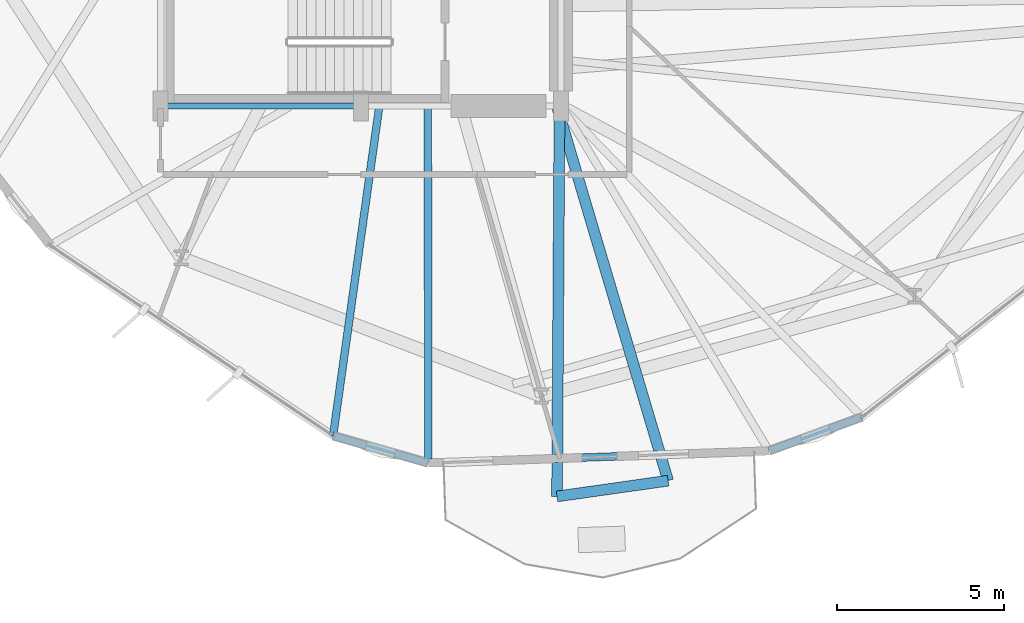
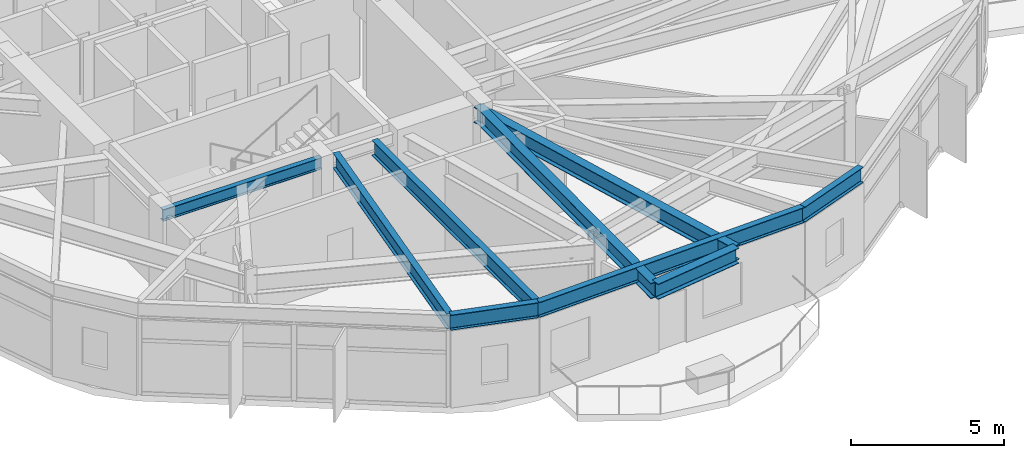
# One storey, part 4 of 21: 9 beams.
"""IFC4 building model written with IfcOpenShell, lengths in metres."""

from ifc_helpers import new_model, si_unit, direction, frame, origin, origin_2d, place, context, subcontext, project, spatial, i_section, extrude, material, material_profile, profile_set, type_object, element, save


model = new_model("IFC4")

# Units and contexts
model_context = context("Model", 3, precision=1e-05, world=origin(), true_north=direction((0.0, 1.0)))
body_context = subcontext(model_context, "Body", "Model", "MODEL_VIEW")
ifc_project = project(units=[si_unit("LENGTHUNIT", "METRE"), si_unit("AREAUNIT", "SQUARE_METRE"), si_unit("VOLUMEUNIT", "CUBIC_METRE"), si_unit("PLANEANGLEUNIT", "RADIAN"), si_unit("MASSUNIT", "GRAM", prefix="KILO")], contexts=[model_context])

# Site, building, storey
site_placement = place(None, origin())
site = spatial("IfcSite", under=ifc_project, at=site_placement, CompositionType="ELEMENT")
building_placement = place(site_placement, origin())
building = spatial("IfcBuilding", under=site, at=building_placement, Name="Soratama Intermodal Tower", CompositionType="ELEMENT")
storey_placement = place(building_placement, frame((0.0, 0.0, 34.60009765625)))
storey = spatial("IfcBuildingStorey", under=building, at=storey_placement, Name="L07", CompositionType="ELEMENT", Elevation=34.60009765625)

# Beams
ifc_material_1 = material(Name="Structural steel ASTM A992 Grade 50", Category="steel")
ifc_material_profile_1 = material_profile(ifc_material_1, i_section(OverallWidth=0.324951171875, OverallDepth=0.615966796875, WebThickness=0.013916015625, FlangeThickness=0.021484375, FilletRadius=0.013916015625, at=origin_2d()), Name="W24X117")
ifc_profile_set_1 = profile_set([ifc_material_profile_1], Name="Structural steel ASTM A992 Grade 50")
beam_type_1 = type_object("IfcBeamType", Name="BM-CANT-W24X117", PredefinedType="BEAM", material=ifc_profile_set_1)
beam_1_placement = place(storey_placement, frame((44.48291015625, 3.300048828125, 3.391845703125), z_axis=(0.990095674072, 0.140394288291, 0.0), x_axis=(-0.140394288291, 0.990095674072, 0.0)))
element("IfcBeam", 1, at=beam_1_placement, inside=storey, type_object=beam_type_1, Name="BM-L07-CBHDR-4", PredefinedType="BEAM", context=body_context, shape_type="SweptSolid", body=[
    extrude(i_section(OverallWidth=0.324951171875, OverallDepth=0.615966796875, WebThickness=0.013916015625, FlangeThickness=0.021484375, FilletRadius=0.013916015625, at=origin_2d()), origin(), (0.0, 0.0, 1.0), 3.361328125),
])
beam_2_placement = place(storey_placement, frame((44.556884765625, 14.9599609375, 3.391845703125), z_axis=(-0.006344226265, -0.999979875194, 0.0), x_axis=(0.999979875194, -0.006344226265, 0.0)))
element("IfcBeam", 2, at=beam_2_placement, inside=storey, type_object=beam_type_1, Name="BM-L07-CANT-4-1", PredefinedType="BEAM", context=body_context, shape_type="SweptSolid", body=[
    extrude(i_section(OverallWidth=0.324951171875, OverallDepth=0.615966796875, WebThickness=0.013916015625, FlangeThickness=0.021484375, FilletRadius=0.013916015625, at=origin_2d()), origin(), (0.0, 0.0, 1.0), 11.66015625),
])
beam_3_placement = place(storey_placement, frame((44.487060546875, 14.9619140625, 3.391845703125), z_axis=(0.284752650359, -0.958601026556, 0.0), x_axis=(0.958601026556, 0.284752650359, 0.0)))
element("IfcBeam", 3, at=beam_3_placement, inside=storey, type_object=beam_type_1, Name="BM-L07-CANT-4-2", PredefinedType="BEAM", context=body_context, shape_type="SweptSolid", body=[
    extrude(i_section(OverallWidth=0.324951171875, OverallDepth=0.615966796875, WebThickness=0.013916015625, FlangeThickness=0.021484375, FilletRadius=0.013916015625, at=origin_2d()), origin(), (0.0, 0.0, 1.0), 11.673095703125),
])
ifc_material_2 = material(Name="Structural steel ASTM A992 Grade 50", Category="steel")
ifc_material_profile_2 = material_profile(ifc_material_2, i_section(OverallWidth=0.19091796875, OverallDepth=0.4599609375, WebThickness=0.010009765625, FlangeThickness=0.01611328125, FilletRadius=0.010986328125, at=origin_2d()), Name="W18X55")
ifc_profile_set_2 = profile_set([ifc_material_profile_2], Name="Structural steel ASTM A992 Grade 50")
beam_type_2 = type_object("IfcBeamType", Name="BM-FLR-W18X55", PredefinedType="BEAM", material=ifc_profile_set_2)
beam_4_placement = place(storey_placement, frame((32.60009765625, 15.0, 3.469970703125), z_axis=(1.0, 0.0, 0.0), x_axis=(0.0, 1.0, 0.0)))
element("IfcBeam", 4, at=beam_4_placement, inside=storey, type_object=beam_type_2, Name="BM-L07-CRING-01", PredefinedType="BEAM", context=body_context, shape_type="SweptSolid", body=[
    extrude(i_section(OverallWidth=0.19091796875, OverallDepth=0.4599609375, WebThickness=0.010009765625, FlangeThickness=0.01611328125, FilletRadius=0.010986328125, at=origin_2d()), origin(), (0.0, 0.0, 1.0), 6.0),
])
ifc_material_3 = material(Name="Structural steel ASTM A992 Grade 50", Category="steel")
ifc_material_profile_3 = material_profile(ifc_material_3, i_section(OverallWidth=0.22900390625, OverallDepth=0.612060546875, WebThickness=0.011962890625, FlangeThickness=0.01953125, FilletRadius=0.012939453125, at=origin_2d()), Name="W24X84")
ifc_profile_set_3 = profile_set([ifc_material_profile_3], Name="Structural steel ASTM A992 Grade 50")
beam_type_3 = type_object("IfcBeamType", Name="BM-SPN-W24X84", PredefinedType="SPANDREL", material=ifc_profile_set_3)
beam_5_placement = place(storey_placement, frame((37.77001953125, 5.114990234375, 3.393798828125), z_axis=(0.961542575222, -0.274655922993, 0.0), x_axis=(0.274655922993, 0.961542575222, 0.0)))
element("IfcBeam", 5, at=beam_5_placement, inside=storey, type_object=beam_type_3, Name="BS-L07-CRN07", PredefinedType="SPANDREL", context=body_context, shape_type="SweptSolid", body=[
    extrude(i_section(OverallWidth=0.22900390625, OverallDepth=0.612060546875, WebThickness=0.011962890625, FlangeThickness=0.01953125, FilletRadius=0.012939453125, at=origin_2d()), origin(), (0.0, 0.0, 1.0), 2.967041015625),
])
beam_6_placement = place(storey_placement, frame((40.623046875, 4.300048828125, 3.393798828125), z_axis=(0.999369197052, 0.035513490166, 0.0), x_axis=(-0.035513490166, 0.999369197052, 0.0)))
element("IfcBeam", 6, at=beam_6_placement, inside=storey, type_object=beam_type_3, Name="BS-L07-F08", PredefinedType="SPANDREL", context=body_context, shape_type="SweptSolid", body=[
    extrude(i_section(OverallWidth=0.22900390625, OverallDepth=0.612060546875, WebThickness=0.011962890625, FlangeThickness=0.01953125, FilletRadius=0.012939453125, at=origin_2d()), origin(), (0.0, 0.0, 1.0), 10.222412109375),
])
beam_7_placement = place(storey_placement, frame((50.839111328125, 4.6630859375, 3.393798828125), z_axis=(0.93942042634, 0.342767067517, 0.0), x_axis=(-0.342767067517, 0.93942042634, 0.0)))
element("IfcBeam", 7, at=beam_7_placement, inside=storey, type_object=beam_type_3, Name="BS-L07-CRN08", PredefinedType="SPANDREL", context=body_context, shape_type="SweptSolid", body=[
    extrude(i_section(OverallWidth=0.22900390625, OverallDepth=0.612060546875, WebThickness=0.011962890625, FlangeThickness=0.01953125, FilletRadius=0.012939453125, at=origin_2d()), origin(), (0.0, 0.0, 1.0), 2.966552734375),
])
ifc_material_4 = material(Name="Structural steel ASTM A992 Grade 50", Category="steel")
ifc_material_profile_4 = material_profile(ifc_material_4, i_section(OverallWidth=0.22900390625, OverallDepth=0.612060546875, WebThickness=0.011962890625, FlangeThickness=0.01953125, FilletRadius=0.012939453125, at=origin_2d()), Name="W24X84")
ifc_profile_set_4 = profile_set([ifc_material_profile_4], Name="Structural steel ASTM A992 Grade 50")
beam_type_4 = type_object("IfcBeamType", Name="BM-TIE-W24X84", PredefinedType="BEAM", material=ifc_profile_set_4)
beam_8_placement = place(storey_placement, frame((39.15087890625, 14.9599609375, 3.393798828125), z_axis=(-0.138900743398, -0.990306307909, 0.0), x_axis=(0.990306307909, -0.138900743398, 0.0)))
element("IfcBeam", 8, at=beam_8_placement, inside=storey, type_object=beam_type_4, Name="BM-L07-TIE1-07", PredefinedType="BEAM", context=body_context, shape_type="SweptSolid", body=[
    extrude(i_section(OverallWidth=0.22900390625, OverallDepth=0.612060546875, WebThickness=0.011962890625, FlangeThickness=0.01953125, FilletRadius=0.012939453125, at=origin_2d()), origin(), (0.0, 0.0, 1.0), 9.94140625),
])
beam_9_placement = place(storey_placement, frame((40.611083984375, 14.9599609375, 3.393798828125), z_axis=(0.001122230931, -0.999999370299, 0.0), x_axis=(0.999999370299, 0.001122230931, 0.0)))
element("IfcBeam", 9, at=beam_9_placement, inside=storey, type_object=beam_type_4, Name="BM-L07-TIE0-08", PredefinedType="BEAM", context=body_context, shape_type="SweptSolid", body=[
    extrude(i_section(OverallWidth=0.22900390625, OverallDepth=0.612060546875, WebThickness=0.011962890625, FlangeThickness=0.01953125, FilletRadius=0.012939453125, at=origin_2d()), origin(), (0.0, 0.0, 1.0), 10.659912109375),
])

save(model, "model.ifc")
